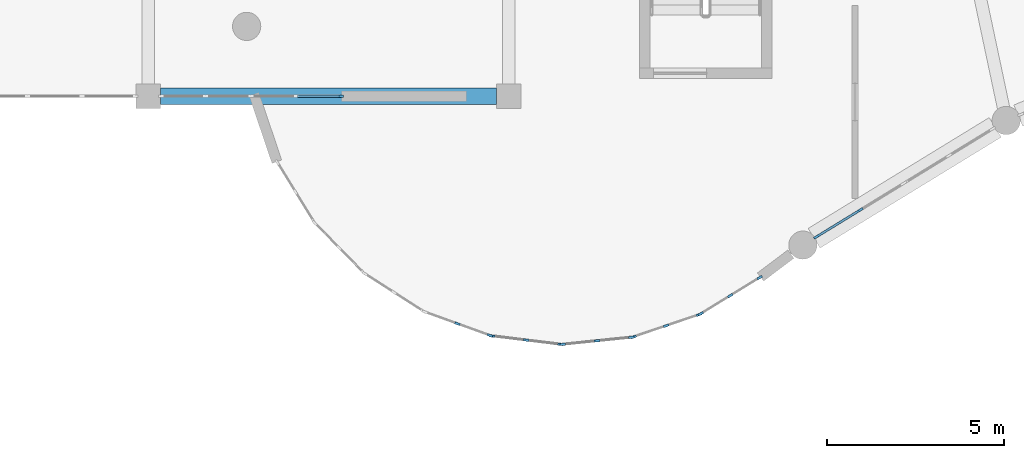
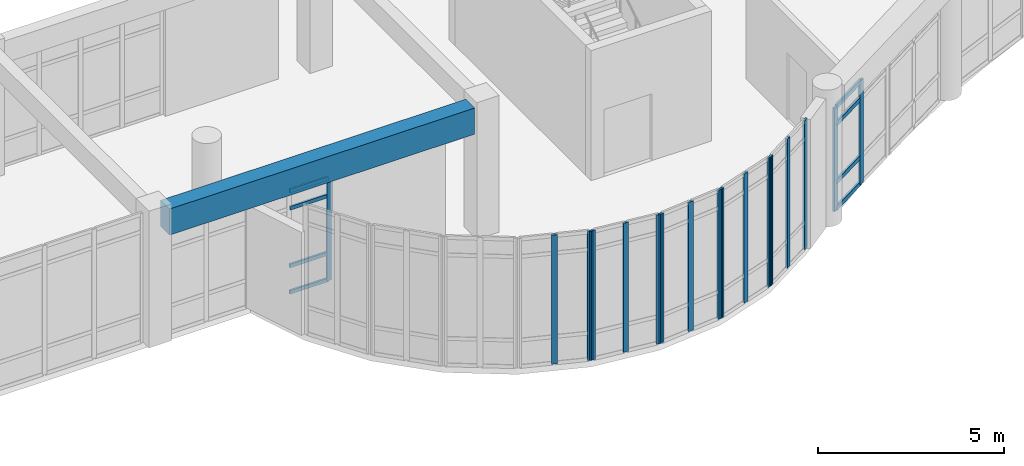
# One storey, part 8 of 57: 25 members, 1 beam, 7 elements without a shape of their own.
"""IFC4 building model written with IfcOpenShell, lengths in metres."""

from ifc_helpers import new_model, si_unit, direction, frame, origin, origin_2d, place, context, subcontext, project, spatial, rectangle, extrude, material, layer, layer_set, material_profile, profile_set, type_object, element, aggregate, save


model = new_model("IFC4")

# Units and contexts
model_context = context("Model", 3, precision=1e-05, world=origin(), true_north=direction((0.0, 1.0)))
body_context = subcontext(model_context, "Body", "Model", "MODEL_VIEW")
ifc_project = project(units=[si_unit("LENGTHUNIT", "METRE"), si_unit("AREAUNIT", "SQUARE_METRE"), si_unit("VOLUMEUNIT", "CUBIC_METRE"), si_unit("PLANEANGLEUNIT", "RADIAN"), si_unit("MASSUNIT", "GRAM", prefix="KILO")], contexts=[model_context])

# Site, building, storey
site_placement = place(None, origin())
site = spatial("IfcSite", under=ifc_project, at=site_placement, CompositionType="ELEMENT")
building_placement = place(site_placement, origin())
building = spatial("IfcBuilding", under=site, at=building_placement, Name="Miralva Faculty of Natural Sciences", CompositionType="ELEMENT")
storey_placement = place(building_placement, frame((0.0, 0.0, 15.0)))
storey = spatial("IfcBuildingStorey", under=building, at=storey_placement, Name="L03", CompositionType="ELEMENT", Elevation=15.0)

# Beam
ifc_material_1 = material(Name="Concrete C40/50", Category="concrete")
ifc_material_profile_1 = material_profile(ifc_material_1, rectangle(XDim=0.47998046875, YDim=0.860107421875, at=origin_2d()), Name="RC 480x860")
ifc_profile_set_1 = profile_set([ifc_material_profile_1], Name="Concrete C40/50")
beam_type = type_object("IfcBeamType", Name="BM-BG17", PredefinedType="BEAM", material=ifc_profile_set_1)
beam_placement = place(storey_placement, frame((46.550048828125, 18.0, 3.830078125), z_axis=(1.0, 0.0, 0.0), x_axis=(0.0, 1.0, 0.0)))
element("IfcBeam", 1, at=beam_placement, inside=storey, type_object=beam_type, Name="Girder EW L03-13", PredefinedType="BEAM", context=body_context, shape_type="SweptSolid", body=[
    extrude(rectangle(XDim=0.47998046875, YDim=0.860107421875, at=origin_2d()), origin(), (0.0, 0.0, 1.0), 9.5),
])

# Curtain wall, members
ifc_material_2 = material(Name="Laminated solar-control glass", Category="glass")
ifc_layer_1 = layer(ifc_material_2, 0.179931640625, Name="CW-ARC-L03")
ifc_layer_set_1 = layer_set([ifc_layer_1], Name="Laminated solar-control glass")
curtain_wall_type_1 = type_object("IfcCurtainWallType", Name="CW-ARC-L03", PredefinedType="USERDEFINED", material=ifc_layer_set_1)
curtain_wall_1_placement = place(storey_placement, origin())
curtain_wall_1 = element("IfcCurtainWall", 2, at=curtain_wall_1_placement, inside=storey, type_object=curtain_wall_type_1, Name="Curtain wall CW-03 L03-109", ObjectType="UNITISED CURTAIN WALL", PredefinedType="USERDEFINED")
ifc_material_3 = material(Name="Anodised aluminium", Category="aluminium")
ifc_material_profile_2 = material_profile(ifc_material_3, rectangle(XDim=0.06494140625, YDim=0.179931640625, at=origin_2d()), Name="MULLION 65x180")
ifc_profile_set_2 = profile_set([ifc_material_profile_2], Name="Anodised aluminium")
member_type_1 = type_object("IfcMemberType", Name="CW-M01", PredefinedType="MULLION", material=ifc_profile_set_2)
member_1_placement = place(storey_placement, frame((65.115234375, 14.02685546875, 0.0), z_axis=(0.0, 0.0, 1.0), x_axis=(-0.522497642249, 0.852640729642, 0.0)))
member_1 = element("IfcMember", 3, at=member_1_placement, type_object=member_type_1, Name="CW-03 mullion 1", PredefinedType="MULLION", context=body_context, shape_type="SweptSolid", body=[
    extrude(rectangle(XDim=0.06494140625, YDim=0.179931640625, at=origin_2d()), origin(), (0.0, 0.0, 1.0), 3.405029296875),
])
member_2_placement = place(storey_placement, frame((66.3447265625, 14.780029296875, 0.0), z_axis=(0.0, 0.0, 1.0), x_axis=(-0.522497642249, 0.852640729642, 0.0)))
member_2 = element("IfcMember", 4, at=member_2_placement, type_object=member_type_1, Name="CW-03 mullion 2", PredefinedType="MULLION", context=body_context, shape_type="SweptSolid", body=[
    extrude(rectangle(XDim=0.06494140625, YDim=0.179931640625, at=origin_2d()), origin(), (0.0, 0.0, 1.0), 3.405029296875),
])

ifc_layer_2 = layer(ifc_material_2, 0.179931640625, Name="CW-RND-L03")
ifc_layer_set_2 = layer_set([ifc_layer_2], Name="Laminated solar-control glass")
curtain_wall_type_2 = type_object("IfcCurtainWallType", Name="CW-RND-L03", PredefinedType="USERDEFINED", material=ifc_layer_set_2)
curtain_wall_2_placement = place(storey_placement, origin())
curtain_wall_2 = element("IfcCurtainWall", 5, at=curtain_wall_2_placement, inside=storey, type_object=curtain_wall_type_2, Name="Curtain wall CW-06 L03-141", ObjectType="UNITISED CURTAIN WALL", PredefinedType="USERDEFINED")
ifc_material_profile_3 = material_profile(ifc_material_3, rectangle(XDim=0.06494140625, YDim=0.159912109375, at=origin_2d()), Name="MULLION 65x160")
ifc_profile_set_3 = profile_set([ifc_material_profile_3], Name="Anodised aluminium")
member_type_2 = type_object("IfcMemberType", Name="CW-M02", PredefinedType="MULLION", material=ifc_profile_set_3)
member_3_placement = place(storey_placement, frame((61.837158203125, 11.846435546875, 0.0), z_axis=(0.0, 0.0, 1.0), x_axis=(-0.523550543884, 0.851994617353, 0.0)))
member_3 = element("IfcMember", 6, at=member_3_placement, type_object=member_type_2, Name="CW-06 mullion 1", PredefinedType="MULLION", context=body_context, shape_type="SweptSolid", body=[
    extrude(rectangle(XDim=0.06494140625, YDim=0.159912109375, at=origin_2d()), origin(), (0.0, 0.0, 1.0), 4.25),
])
member_4_placement = place(storey_placement, frame((62.670166015625, 12.358154296875, 0.0), z_axis=(0.0, 0.0, 1.0), x_axis=(-0.523550543884, 0.851994617353, 0.0)))
member_4 = element("IfcMember", 7, at=member_4_placement, type_object=member_type_2, Name="CW-06 mullion 2", PredefinedType="MULLION", context=body_context, shape_type="SweptSolid", body=[
    extrude(rectangle(XDim=0.06494140625, YDim=0.159912109375, at=origin_2d()), origin(), (0.0, 0.0, 1.0), 4.25),
])
member_5_placement = place(storey_placement, frame((63.503173828125, 12.8701171875, 0.0), z_axis=(0.0, 0.0, 1.0), x_axis=(-0.523550543884, 0.851994617353, 0.0)))
member_5 = element("IfcMember", 8, at=member_5_placement, type_object=member_type_2, Name="CW-06 mullion 3", PredefinedType="MULLION", context=body_context, shape_type="SweptSolid", body=[
    extrude(rectangle(XDim=0.06494140625, YDim=0.159912109375, at=origin_2d()), origin(), (0.0, 0.0, 1.0), 4.25),
])
aggregate(curtain_wall_2, [member_3, member_4, member_5])

curtain_wall_3_placement = place(storey_placement, origin())
curtain_wall_3 = element("IfcCurtainWall", 9, at=curtain_wall_3_placement, inside=storey, type_object=curtain_wall_type_2, Name="Curtain wall CW-06 L03-142", ObjectType="UNITISED CURTAIN WALL", PredefinedType="USERDEFINED")
member_6_placement = place(storey_placement, frame((59.931396484375, 11.193115234375, 0.0), z_axis=(0.0, 0.0, 1.0), x_axis=(-0.320842126361, 0.947132688672, 0.0)))
member_6 = element("IfcMember", 10, at=member_6_placement, type_object=member_type_2, Name="CW-06 mullion 1", PredefinedType="MULLION", context=body_context, shape_type="SweptSolid", body=[
    extrude(rectangle(XDim=0.06494140625, YDim=0.159912109375, at=origin_2d()), origin(), (0.0, 0.0, 1.0), 4.25),
])
member_7_placement = place(storey_placement, frame((60.857421875, 11.5068359375, 0.0), z_axis=(0.0, 0.0, 1.0), x_axis=(-0.320842126361, 0.947132688672, 0.0)))
member_7 = element("IfcMember", 11, at=member_7_placement, type_object=member_type_2, Name="CW-06 mullion 2", PredefinedType="MULLION", context=body_context, shape_type="SweptSolid", body=[
    extrude(rectangle(XDim=0.06494140625, YDim=0.159912109375, at=origin_2d()), origin(), (0.0, 0.0, 1.0), 4.25),
])
member_8_placement = place(storey_placement, frame((61.783447265625, 11.820556640625, 0.0), z_axis=(0.0, 0.0, 1.0), x_axis=(-0.320842126361, 0.947132688672, 0.0)))
member_8 = element("IfcMember", 12, at=member_8_placement, type_object=member_type_2, Name="CW-06 mullion 3", PredefinedType="MULLION", context=body_context, shape_type="SweptSolid", body=[
    extrude(rectangle(XDim=0.06494140625, YDim=0.159912109375, at=origin_2d()), origin(), (0.0, 0.0, 1.0), 4.25),
])
aggregate(curtain_wall_3, [member_6, member_7, member_8])

curtain_wall_4_placement = place(storey_placement, origin())
curtain_wall_4 = element("IfcCurtainWall", 13, at=curtain_wall_4_placement, inside=storey, type_object=curtain_wall_type_2, Name="Curtain wall CW-06 L03-143", ObjectType="UNITISED CURTAIN WALL", PredefinedType="USERDEFINED")
member_9_placement = place(storey_placement, frame((57.92822265625, 10.980224609375, 0.0), z_axis=(0.0, 0.0, 1.0), x_axis=(-0.102056494477, 0.994778604482, 0.0)))
member_9 = element("IfcMember", 14, at=member_9_placement, type_object=member_type_2, Name="CW-06 mullion 1", PredefinedType="MULLION", context=body_context, shape_type="SweptSolid", body=[
    extrude(rectangle(XDim=0.06494140625, YDim=0.159912109375, at=origin_2d()), origin(), (0.0, 0.0, 1.0), 4.25),
])
member_10_placement = place(storey_placement, frame((58.900634765625, 11.080078125, 0.0), z_axis=(0.0, 0.0, 1.0), x_axis=(-0.102056494477, 0.994778604482, 0.0)))
member_10 = element("IfcMember", 15, at=member_10_placement, type_object=member_type_2, Name="CW-06 mullion 2", PredefinedType="MULLION", context=body_context, shape_type="SweptSolid", body=[
    extrude(rectangle(XDim=0.06494140625, YDim=0.159912109375, at=origin_2d()), origin(), (0.0, 0.0, 1.0), 4.25),
])
member_11_placement = place(storey_placement, frame((59.873291015625, 11.179931640625, 0.0), z_axis=(0.0, 0.0, 1.0), x_axis=(-0.102056494477, 0.994778604482, 0.0)))
member_11 = element("IfcMember", 16, at=member_11_placement, type_object=member_type_2, Name="CW-06 mullion 3", PredefinedType="MULLION", context=body_context, shape_type="SweptSolid", body=[
    extrude(rectangle(XDim=0.06494140625, YDim=0.159912109375, at=origin_2d()), origin(), (0.0, 0.0, 1.0), 4.25),
])
aggregate(curtain_wall_4, [member_9, member_10, member_11])

curtain_wall_5_placement = place(storey_placement, origin())
curtain_wall_5 = element("IfcCurtainWall", 17, at=curtain_wall_5_placement, inside=storey, type_object=curtain_wall_type_2, Name="Curtain wall CW-06 L03-144", ObjectType="UNITISED CURTAIN WALL", PredefinedType="USERDEFINED")
member_12_placement = place(storey_placement, frame((55.927734375, 11.21875, 0.0), z_axis=(0.0, 0.0, 1.0), x_axis=(0.121859649701, 0.99254734183, 0.0)))
member_12 = element("IfcMember", 18, at=member_12_placement, type_object=member_type_2, Name="CW-06 mullion 1", PredefinedType="MULLION", context=body_context, shape_type="SweptSolid", body=[
    extrude(rectangle(XDim=0.06494140625, YDim=0.159912109375, at=origin_2d()), origin(), (0.0, 0.0, 1.0), 4.25),
])
member_13_placement = place(storey_placement, frame((56.898193359375, 11.099609375, 0.0), z_axis=(0.0, 0.0, 1.0), x_axis=(0.121859649701, 0.99254734183, 0.0)))
member_13 = element("IfcMember", 19, at=member_13_placement, type_object=member_type_2, Name="CW-06 mullion 2", PredefinedType="MULLION", context=body_context, shape_type="SweptSolid", body=[
    extrude(rectangle(XDim=0.06494140625, YDim=0.159912109375, at=origin_2d()), origin(), (0.0, 0.0, 1.0), 4.25),
])
member_14_placement = place(storey_placement, frame((57.86865234375, 10.98046875, 0.0), z_axis=(0.0, 0.0, 1.0), x_axis=(0.121859649701, 0.99254734183, 0.0)))
member_14 = element("IfcMember", 20, at=member_14_placement, type_object=member_type_2, Name="CW-06 mullion 3", PredefinedType="MULLION", context=body_context, shape_type="SweptSolid", body=[
    extrude(rectangle(XDim=0.06494140625, YDim=0.159912109375, at=origin_2d()), origin(), (0.0, 0.0, 1.0), 4.25),
])
aggregate(curtain_wall_5, [member_12, member_13, member_14])

curtain_wall_6_placement = place(storey_placement, origin())
curtain_wall_6 = element("IfcCurtainWall", 21, at=curtain_wall_6_placement, inside=storey, type_object=curtain_wall_type_2, Name="Curtain wall CW-06 L03-145", ObjectType="UNITISED CURTAIN WALL", PredefinedType="USERDEFINED")
member_15_placement = place(storey_placement, frame((54.9501953125, 11.56396484375, 0.0), z_axis=(0.0, 0.0, 1.0), x_axis=(0.339695547876, 0.940535451088, 0.0)))
member_15 = element("IfcMember", 22, at=member_15_placement, type_object=member_type_2, Name="CW-06 mullion 2", PredefinedType="MULLION", context=body_context, shape_type="SweptSolid", body=[
    extrude(rectangle(XDim=0.06494140625, YDim=0.159912109375, at=origin_2d()), origin(), (0.0, 0.0, 1.0), 4.25),
])
member_16_placement = place(storey_placement, frame((55.86962890625, 11.23193359375, 0.0), z_axis=(0.0, 0.0, 1.0), x_axis=(0.339695547876, 0.940535451088, 0.0)))
member_16 = element("IfcMember", 23, at=member_16_placement, type_object=member_type_2, Name="CW-06 mullion 3", PredefinedType="MULLION", context=body_context, shape_type="SweptSolid", body=[
    extrude(rectangle(XDim=0.06494140625, YDim=0.159912109375, at=origin_2d()), origin(), (0.0, 0.0, 1.0), 4.25),
])
aggregate(curtain_wall_6, [member_15, member_16])

# Curtain wall, member
ifc_layer_3 = layer(ifc_material_2, 0.179931640625, Name="CW-COM-L01")
ifc_layer_set_3 = layer_set([ifc_layer_3], Name="Laminated solar-control glass")
curtain_wall_type_3 = type_object("IfcCurtainWallType", Name="CW-COM-L01", PredefinedType="USERDEFINED", material=ifc_layer_set_3)
curtain_wall_7_placement = place(storey_placement, origin())
curtain_wall_7 = element("IfcCurtainWall", 24, at=curtain_wall_7_placement, inside=storey, type_object=curtain_wall_type_3, Name="Curtain wall CW-10 L03-301", ObjectType="UNITISED CURTAIN WALL", PredefinedType="USERDEFINED")
ifc_material_profile_4 = material_profile(ifc_material_3, rectangle(XDim=0.06005859375, YDim=0.139892578125, at=origin_2d()), Name="MULLION 60x140")
ifc_profile_set_4 = profile_set([ifc_material_profile_4], Name="Anodised aluminium")
member_type_3 = type_object("IfcMemberType", Name="CW-M03", PredefinedType="MULLION", material=ifc_profile_set_4)
member_17_placement = place(storey_placement, frame((51.64990234375, 18.0, 0.0), z_axis=(0.0, 0.0, 1.0), x_axis=(0.0, 1.0, 0.0)))
member_17 = element("IfcMember", 25, at=member_17_placement, type_object=member_type_3, Name="CW-10 mullion 5", PredefinedType="MULLION", context=body_context, shape_type="SweptSolid", body=[
    extrude(rectangle(XDim=0.06005859375, YDim=0.139892578125, at=origin_2d()), origin(), (0.0, 0.0, 1.0), 3.39501953125),
])

# Member
ifc_material_profile_5 = material_profile(ifc_material_3, rectangle(XDim=0.06494140625, YDim=0.139892578125, at=origin_2d()), Name="TRANSOM 65x140")
ifc_profile_set_5 = profile_set([ifc_material_profile_5], Name="Anodised aluminium")
member_type_4 = type_object("IfcMemberType", Name="CW-T01", PredefinedType="USERDEFINED", material=ifc_profile_set_5)
member_18_placement = place(storey_placement, frame((65.14306640625, 14.043701171875, 0.032470703125), z_axis=(0.85258850929, 0.522582848768, 0.0), x_axis=(-0.522582848768, 0.85258850929, 0.0)))
member_18 = element("IfcMember", 26, at=member_18_placement, type_object=member_type_4, Name="CW-03 transom 1.1", ObjectType="TRANSOM", PredefinedType="USERDEFINED", context=body_context, shape_type="SweptSolid", body=[
    extrude(rectangle(XDim=0.06494140625, YDim=0.139892578125, at=origin_2d()), origin(), (0.0, 0.0, 1.0), 1.376708984375),
])

member_19_placement = place(storey_placement, frame((65.14306640625, 14.043701171875, 0.89990234375), z_axis=(0.85258850929, 0.522582848768, 0.0), x_axis=(-0.522582848768, 0.85258850929, 0.0)))
member_19 = element("IfcMember", 27, at=member_19_placement, type_object=member_type_4, Name="CW-03 transom 1.2", ObjectType="TRANSOM", PredefinedType="USERDEFINED", context=body_context, shape_type="SweptSolid", body=[
    extrude(rectangle(XDim=0.06494140625, YDim=0.139892578125, at=origin_2d()), origin(), (0.0, 0.0, 1.0), 1.376708984375),
])

member_20_placement = place(storey_placement, frame((65.14306640625, 14.043701171875, 2.804931640625), z_axis=(0.85258850929, 0.522582848768, 0.0), x_axis=(-0.522582848768, 0.85258850929, 0.0)))
member_20 = element("IfcMember", 28, at=member_20_placement, type_object=member_type_4, Name="CW-03 transom 1.3", ObjectType="TRANSOM", PredefinedType="USERDEFINED", context=body_context, shape_type="SweptSolid", body=[
    extrude(rectangle(XDim=0.06494140625, YDim=0.139892578125, at=origin_2d()), origin(), (0.0, 0.0, 1.0), 1.376708984375),
])

member_21_placement = place(storey_placement, frame((65.14306640625, 14.043701171875, 3.37255859375), z_axis=(0.85258850929, 0.522582848768, 0.0), x_axis=(-0.522582848768, 0.85258850929, 0.0)))
member_21 = element("IfcMember", 29, at=member_21_placement, type_object=member_type_4, Name="CW-03 transom 1.4", ObjectType="TRANSOM", PredefinedType="USERDEFINED", context=body_context, shape_type="SweptSolid", body=[
    extrude(rectangle(XDim=0.06494140625, YDim=0.139892578125, at=origin_2d()), origin(), (0.0, 0.0, 1.0), 1.376708984375),
])

aggregate(curtain_wall_1, [member_1, member_2, member_18, member_19, member_20, member_21])

ifc_material_profile_6 = material_profile(ifc_material_3, rectangle(XDim=0.06005859375, YDim=0.1201171875, at=origin_2d()), Name="TRANSOM 60x120")
ifc_profile_set_6 = profile_set([ifc_material_profile_6], Name="Anodised aluminium")
member_type_5 = type_object("IfcMemberType", Name="CW-T02", PredefinedType="USERDEFINED", material=ifc_profile_set_6)
member_22_placement = place(storey_placement, frame((50.423828125, 18.0, 0.030029296875), z_axis=(1.0, 0.0, 0.0), x_axis=(0.0, 1.0, 0.0)))
member_22 = element("IfcMember", 30, at=member_22_placement, type_object=member_type_5, Name="CW-10 transom 4.1", ObjectType="TRANSOM", PredefinedType="USERDEFINED", context=body_context, shape_type="SweptSolid", body=[
    extrude(rectangle(XDim=0.06005859375, YDim=0.1201171875, at=origin_2d()), origin(), (0.0, 0.0, 1.0), 1.1962890625),
])

member_23_placement = place(storey_placement, frame((50.423828125, 18.0, 0.89990234375), z_axis=(1.0, 0.0, 0.0), x_axis=(0.0, 1.0, 0.0)))
member_23 = element("IfcMember", 31, at=member_23_placement, type_object=member_type_5, Name="CW-10 transom 4.2", ObjectType="TRANSOM", PredefinedType="USERDEFINED", context=body_context, shape_type="SweptSolid", body=[
    extrude(rectangle(XDim=0.06005859375, YDim=0.1201171875, at=origin_2d()), origin(), (0.0, 0.0, 1.0), 1.1962890625),
])

member_24_placement = place(storey_placement, frame((50.423828125, 18.0, 2.794921875), z_axis=(1.0, 0.0, 0.0), x_axis=(0.0, 1.0, 0.0)))
member_24 = element("IfcMember", 32, at=member_24_placement, type_object=member_type_5, Name="CW-10 transom 4.3", ObjectType="TRANSOM", PredefinedType="USERDEFINED", context=body_context, shape_type="SweptSolid", body=[
    extrude(rectangle(XDim=0.06005859375, YDim=0.1201171875, at=origin_2d()), origin(), (0.0, 0.0, 1.0), 1.1962890625),
])

member_25_placement = place(storey_placement, frame((50.423828125, 18.0, 3.364990234375), z_axis=(1.0, 0.0, 0.0), x_axis=(0.0, 1.0, 0.0)))
member_25 = element("IfcMember", 33, at=member_25_placement, type_object=member_type_5, Name="CW-10 transom 4.4", ObjectType="TRANSOM", PredefinedType="USERDEFINED", context=body_context, shape_type="SweptSolid", body=[
    extrude(rectangle(XDim=0.06005859375, YDim=0.1201171875, at=origin_2d()), origin(), (0.0, 0.0, 1.0), 1.1962890625),
])

aggregate(curtain_wall_7, [member_17, member_22, member_23, member_24, member_25])

save(model, "model.ifc")
